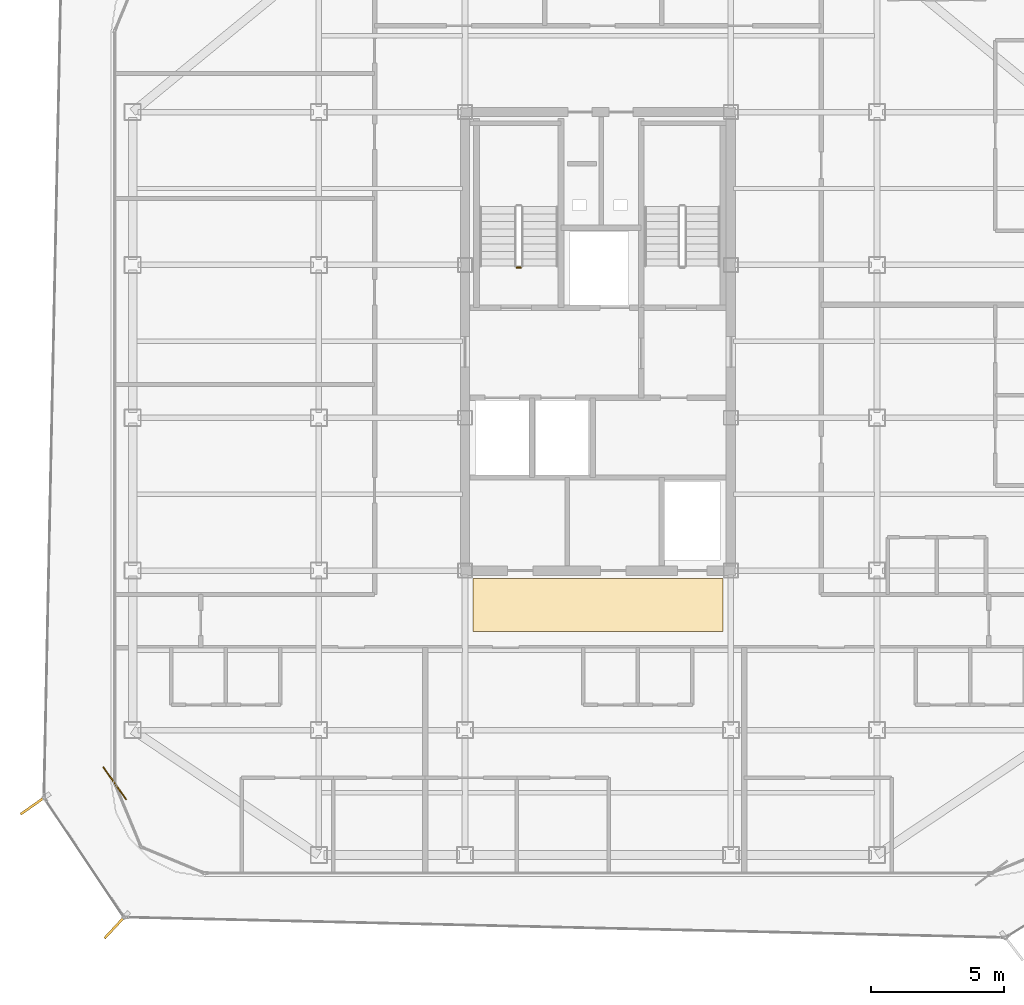
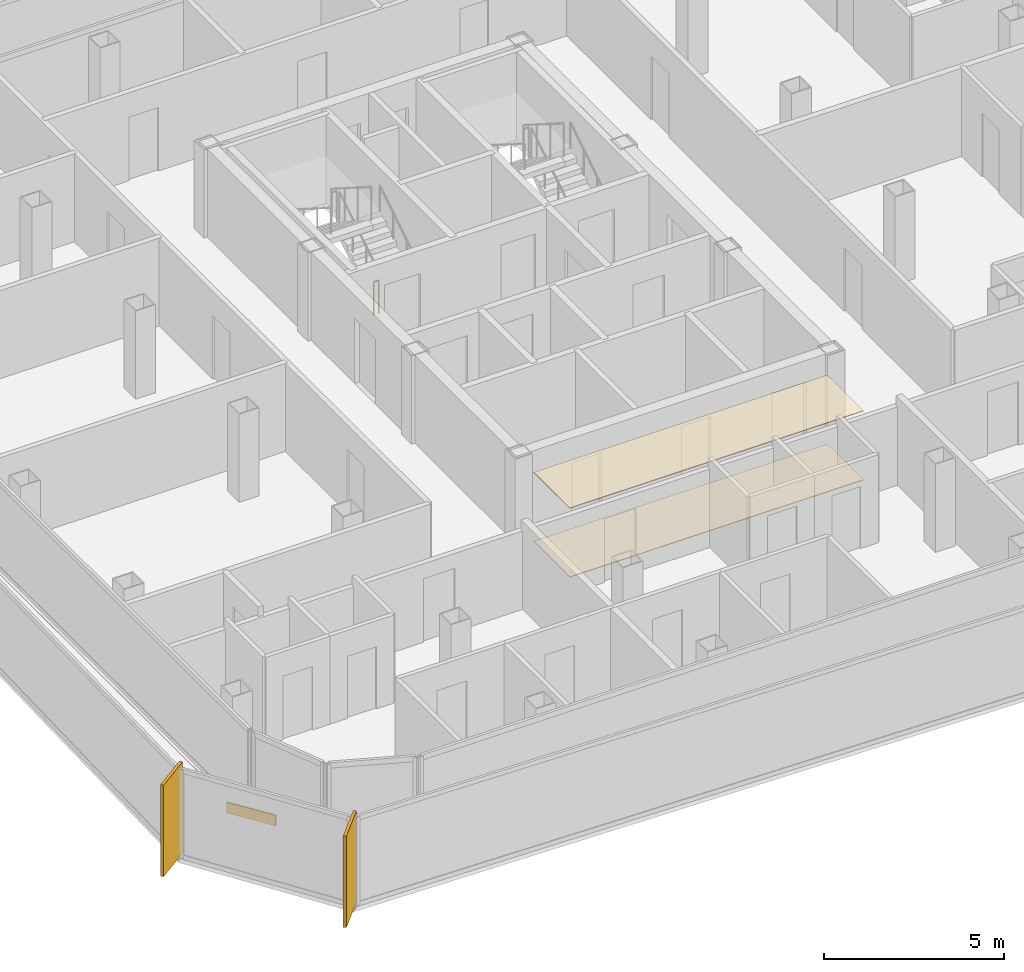
# One storey, part 13 of 15: 3 coverings, 2 shading devices, 1 railing.
"""IFC4 building model written with IfcOpenShell, lengths in metres."""

from ifc_helpers import new_model, si_unit, direction, frame, origin, origin_2d, place, context, subcontext, project, spatial, polyline, rectangle, circle, outline, extrude, source, transform, mapped, material, layer, layer_set, type_object, element, save


model = new_model("IFC4")

# Units and contexts
model_context = context("Model", 3, precision=1e-05, world=origin(), true_north=direction((0.0, 1.0)))
body_context = subcontext(model_context, "Body", "Model", "MODEL_VIEW")
ifc_project = project(units=[si_unit("LENGTHUNIT", "METRE"), si_unit("AREAUNIT", "SQUARE_METRE"), si_unit("VOLUMEUNIT", "CUBIC_METRE"), si_unit("PLANEANGLEUNIT", "RADIAN"), si_unit("MASSUNIT", "GRAM", prefix="KILO")], contexts=[model_context])

# Site, building, storey
site_placement = place(None, origin())
site = spatial("IfcSite", under=ifc_project, at=site_placement, CompositionType="ELEMENT")
building_placement = place(site_placement, origin())
building = spatial("IfcBuilding", under=site, at=building_placement, Name="Kolveth Station Tower", CompositionType="ELEMENT")
storey_placement = place(building_placement, frame((0.0, 0.0, 255.300048828125)))
storey = spatial("IfcBuildingStorey", under=building, at=storey_placement, Name="L73", CompositionType="ELEMENT", Elevation=255.300048828125)

# Coverings
ifc_material_1 = material(Name="Acoustic mineral-fibre ceiling tile")
ifc_layer_1 = layer(ifc_material_1, 0.02490234375)
ifc_layer_set_1 = layer_set([ifc_layer_1], Name="Acoustic mineral-fibre ceiling tile")
covering_type_1 = type_object("IfcCoveringType", Name="Ceil_CL1", PredefinedType="CEILING", material=ifc_layer_set_1)
covering_1_placement = place(storey_placement, frame((0.0, 0.0, 2.329833984375)))
element("IfcCovering", 1, at=covering_1_placement, inside=storey, type_object=covering_type_1, Name="L73 Lift Lobby Suspended Ceiling", PredefinedType="CEILING", context=body_context, shape_type="SweptSolid", body=[
    extrude(outline(polyline([(18.800048828125, 9.199951171875), (28.199951171875, 9.199951171875), (28.199951171875, 11.199951171875), (18.800048828125, 11.199951171875), (18.800048828125, 9.199951171875)])), origin(), (0.0, 0.0, 1.0), 0.025146484375),
])
ifc_material_2 = material(Name="Honed terrazzo flooring")
ifc_layer_2 = layer(ifc_material_2, 0.02001953125)
ifc_layer_set_2 = layer_set([ifc_layer_2], Name="Honed terrazzo flooring")
covering_type_2 = type_object("IfcCoveringType", Name="Floor_FL1", PredefinedType="FLOORING", material=ifc_layer_set_2)
covering_2_placement = place(storey_placement, origin())
element("IfcCovering", 2, at=covering_2_placement, inside=storey, type_object=covering_type_2, Name="L73 Lift Lobby Floor Finish", PredefinedType="FLOORING", context=body_context, shape_type="SweptSolid", body=[
    extrude(outline(polyline([(18.800048828125, 9.199951171875), (28.199951171875, 9.199951171875), (28.199951171875, 11.199951171875), (18.800048828125, 11.199951171875), (18.800048828125, 9.199951171875)])), origin(), (0.0, 0.0, 1.0), 0.02001953125),
])

# Railing
ifc_material_3 = material(Name="Painted Steel S355 balustrade", Category="steel")
railing_type = type_object("IfcRailingType", Name="Guard_GR2", PredefinedType="BALUSTRADE", material=ifc_material_3)
railing_placement = place(storey_placement, frame((20.60009765625, 22.89990234375, 0.0)))
element("IfcRailing", 3, at=railing_placement, inside=storey, type_object=railing_type, Name="L73 ST1 stair guard 4", PredefinedType="BALUSTRADE", context=body_context, shape_type="SweptSolid", body=[
    extrude(circle(Radius=0.02392578125, at=origin_2d()), frame((0.0, 0.0, 1.1259765625), z_axis=(-1.0, 0.0, 0.0), x_axis=(0.0, -1.0, 0.0)), (0.0, 0.0, 1.0), 0.16015625),
    extrude(circle(Radius=0.02099609375, at=origin_2d()), origin(), (0.0, 0.0, 1.0), 1.101806640625),
    extrude(circle(Radius=0.02099609375, at=origin_2d()), frame((-0.16015625, 0.0, 0.0)), (0.0, 0.0, 1.0), 1.101806640625),
])

# Shading devices
ifc_material_4 = material(Name="Black anodized aluminium 6063-T6", Category="aluminium")
shading_device_type = type_object("IfcShadingDeviceType", Name="FIN_VF1", PredefinedType="USERDEFINED", material=ifc_material_4)
shared_shape_1 = source(origin(), body_context, "Body", "SweptSolid", [
    extrude(rectangle(XDim=1.25, YDim=0.090087890625, at=origin_2d()), origin(), (0.0, 0.0, 1.0), 3.10009765625),
])
for number, where, z_axis, x_axis, name in (
    (4, (2.2958984375, 2.696044921875, 0.0), (0.0, 0.0, 1.0), (-0.817245492307, -0.576289688702, 0.0), "L73 Dark-Aluminium Solar Fin 7"),
    (5, (5.366943359375, -1.8720703125, 0.0), (0.0, 0.0, 1.0), (-0.680593005737, -0.732661695834, 0.0), "L73 Dark-Aluminium Solar Fin 8"),
):
    element("IfcShadingDevice", number, at=place(storey_placement, frame(where, z_axis=z_axis, x_axis=x_axis)), inside=storey, type_object=shading_device_type, Name=name, ObjectType="FIN", PredefinedType="USERDEFINED", context=body_context, shape_type="MappedRepresentation", body=[
        mapped(shared_shape_1, transform((0.0, 0.0, 0.0), x_axis=(1.0, 0.0, 0.0), y_axis=(0.0, 1.0, 0.0), z_axis=(0.0, 0.0, 1.0), scale=1.0)),
    ])

# Covering
ifc_material_5 = material(Name="Charcoal anodized aluminium spandrel cladding", Category="aluminium")
ifc_layer_3 = layer(ifc_material_5, 0.044921875)
ifc_layer_set_3 = layer_set([ifc_layer_3], Name="Charcoal anodized aluminium spandrel cladding")
covering_type_3 = type_object("IfcCoveringType", Name="Clad_CD1", PredefinedType="CLADDING", material=ifc_layer_set_3)
shared_shape_2 = source(origin(), body_context, "Body", "SweptSolid", [
    extrude(rectangle(XDim=1.5, YDim=0.044921875, at=origin_2d()), origin(), (0.0, 0.0, 1.0), 0.360107421875),
])
covering_3_placement = place(storey_placement, frame((5.320068359375, 3.5, 0.0), z_axis=(0.0, 0.0, 1.0), x_axis=(0.576289688702, -0.817245492307, 0.0)))
element("IfcCovering", 6, at=covering_3_placement, inside=storey, type_object=covering_type_3, Name="L73 Spandrel Edge Cladding 7", PredefinedType="CLADDING", context=body_context, shape_type="MappedRepresentation", body=[
    mapped(shared_shape_2, transform((0.0, 0.0, 0.0), x_axis=(1.0, 0.0, 0.0), y_axis=(0.0, 1.0, 0.0), z_axis=(0.0, 0.0, 1.0), scale=1.0)),
])

save(model, "model.ifc")
